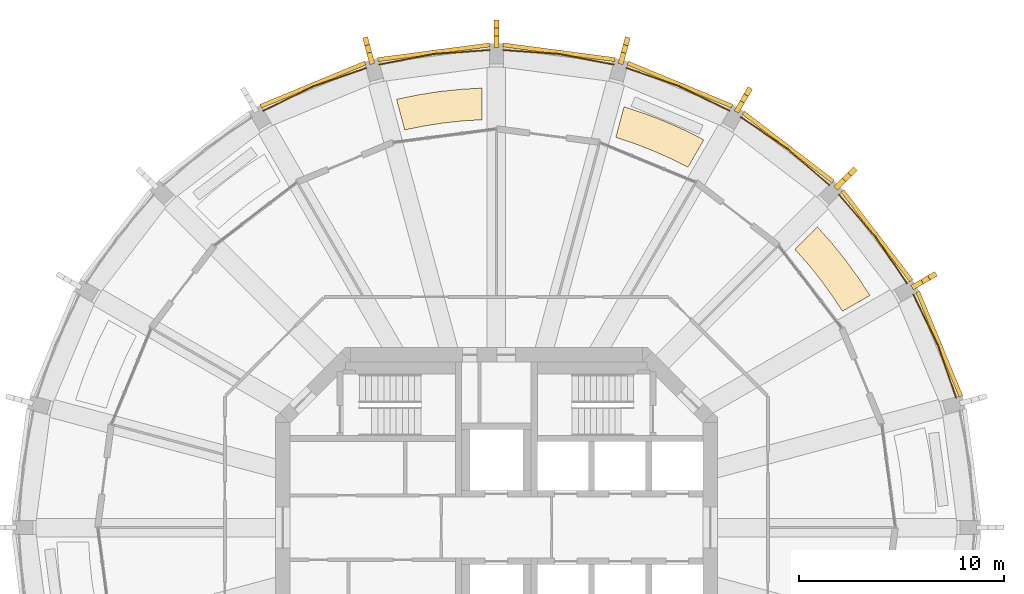
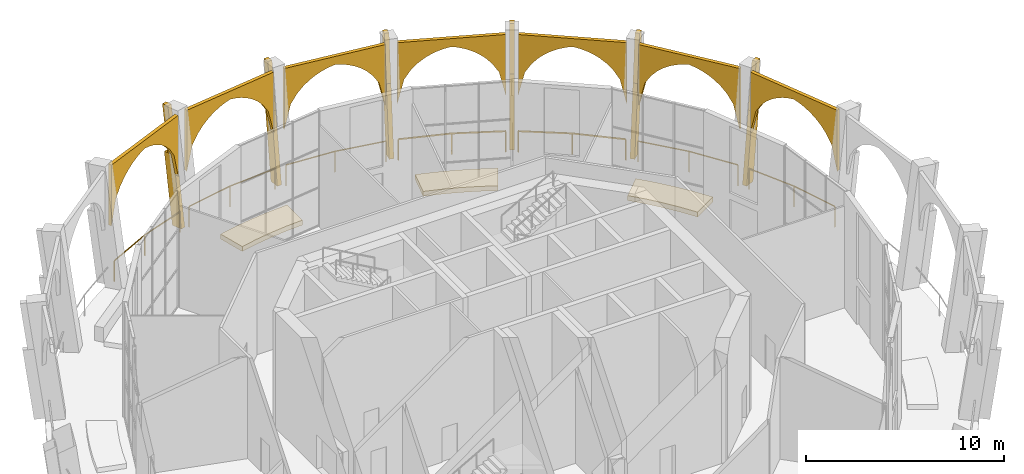
# One storey, part 16 of 16: 22 coverings, 7 railings.
"""IFC4 building model written with IfcOpenShell, lengths in metres."""

from ifc_helpers import new_model, si_unit, direction, frame, origin, origin_2d, place, context, subcontext, project, spatial, polyline, rectangle, outline, extrude, material, layer, layer_set, material_profile, profile_set, type_object, element, save


model = new_model("IFC4")

# Units and contexts
model_context = context("Model", 3, precision=1e-05, world=origin(), true_north=direction((0.0, 1.0)))
body_context = subcontext(model_context, "Body", "Model", "MODEL_VIEW")
ifc_project = project(units=[si_unit("LENGTHUNIT", "METRE"), si_unit("AREAUNIT", "SQUARE_METRE"), si_unit("VOLUMEUNIT", "CUBIC_METRE"), si_unit("PLANEANGLEUNIT", "RADIAN"), si_unit("MASSUNIT", "GRAM", prefix="KILO")], contexts=[model_context])

# Site, building, storey
site_placement = place(None, origin())
site = spatial("IfcSite", under=ifc_project, at=site_placement, CompositionType="ELEMENT")
building_placement = place(site_placement, origin())
building = spatial("IfcBuilding", under=site, at=building_placement, Name="Torre Triforio", CompositionType="ELEMENT")
storey_placement = place(building_placement, frame((0.0, 0.0, 218.699951171875)))
storey = spatial("IfcBuildingStorey", under=building, at=storey_placement, Name="L50", CompositionType="ELEMENT", Elevation=218.699951171875)

# Coverings
ifc_material_1 = material(Name="Limestone arch panel", Category="masonry")
ifc_layer_1 = layer(ifc_material_1, 0.199951171875)
ifc_layer_set_1 = layer_set([ifc_layer_1], Name="Limestone arch panel")
covering_type_1 = type_object("IfcCoveringType", Name="Lancet arch cladding panel 200", PredefinedType="CLADDING", material=ifc_layer_set_1)
covering_1_placement = place(storey_placement, frame((21.563232421875, 8.931884765625, 0.0), z_axis=(0.924120904221, 0.382100188932, 0.0), x_axis=(-0.382100188932, 0.924120904221, 0.0)))
element("IfcCovering", 1, at=covering_1_placement, inside=storey, type_object=covering_type_1, Name="Lancet arch panel L50 bay 02", PredefinedType="CLADDING", context=body_context, shape_type="SweptSolid", body=[
    extrude(outline(polyline([(-2.76318359375, 7.1201171875), (-2.76318359375, 3.359619140625), (-2.417724609375, 4.83056640625), (-2.072509765625, 5.381591796875), (-1.72705078125, 5.7626953125), (-1.381591796875, 6.04736328125), (-1.0361328125, 6.263671875), (-0.69091796875, 6.42626953125), (-0.345458984375, 6.54345703125), (0.0, 6.6201171875), (0.345458984375, 6.54345703125), (0.69091796875, 6.42626953125), (1.0361328125, 6.263671875), (1.381591796875, 6.04736328125), (1.72705078125, 5.7626953125), (2.072509765625, 5.381591796875), (2.417724609375, 4.83056640625), (2.76318359375, 3.359619140625), (2.76318359375, 7.1201171875), (-2.76318359375, 7.1201171875)])), origin(), (0.0, 0.0, 1.0), 0.199951171875),
])
for number, where, z_axis, x_axis, name in (
    (2, (18.516845703125, 14.20849609375, 0.0), (0.793350515415, 0.608765110442, 0.0), (-0.608765110442, 0.793350515415, 0.0), "Lancet arch panel L50 bay 03"),
    (3, (14.20849609375, 18.516845703125, 0.0), (0.608765110442, 0.793350515415, 0.0), (-0.793350515415, 0.608765110442, 0.0), "Lancet arch panel L50 bay 04"),
):
    element("IfcCovering", number, at=place(storey_placement, frame(where, z_axis=z_axis, x_axis=x_axis)), inside=storey, type_object=covering_type_1, Name=name, PredefinedType="CLADDING", context=body_context, shape_type="SweptSolid", body=[
        extrude(outline(polyline([(-2.76318359375, 7.1201171875), (-2.76318359375, 3.359619140625), (-2.417724609375, 4.83056640625), (-2.072509765625, 5.381591796875), (-1.72705078125, 5.7626953125), (-1.381591796875, 6.04736328125), (-1.0361328125, 6.263671875), (-0.69091796875, 6.42626953125), (-0.345458984375, 6.54345703125), (0.0, 6.6201171875), (0.345458984375, 6.54345703125), (0.69091796875, 6.42626953125), (1.0361328125, 6.263671875), (1.381591796875, 6.04736328125), (1.72705078125, 5.7626953125), (2.072509765625, 5.381591796875), (2.417724609375, 4.83056640625), (2.76318359375, 3.359619140625), (2.76318359375, 7.1201171875), (-2.76318359375, 7.1201171875)])), origin(), (0.0, 0.0, 1.0), 0.19970703125),
    ])
for number, where, z_axis, x_axis, name in (
    (4, (8.931884765625, 21.563232421875, 0.0), (0.382100188932, 0.924120904221, 0.0), (-0.924120904221, 0.382100188932, 0.0), "Lancet arch panel L50 bay 05"),
    (5, (3.04638671875, 23.14013671875, 0.0), (0.130644014367, 0.991429342672, 0.0), (-0.991429342672, 0.130644014367, 0.0), "Lancet arch panel L50 bay 06"),
    (6, (-3.04638671875, 23.14013671875, 0.0), (-0.130644014367, 0.991429342672, 0.0), (-0.991429342672, -0.130644014367, 0.0), "Lancet arch panel L50 bay 07"),
    (7, (-8.931884765625, 21.563232421875, 0.0), (-0.382100188932, 0.924120904221, 0.0), (-0.924120904221, -0.382100188932, 0.0), "Lancet arch panel L50 bay 08"),
):
    element("IfcCovering", number, at=place(storey_placement, frame(where, z_axis=z_axis, x_axis=x_axis)), inside=storey, type_object=covering_type_1, Name=name, PredefinedType="CLADDING", context=body_context, shape_type="SweptSolid", body=[
        extrude(outline(polyline([(-2.76318359375, 7.1201171875), (-2.76318359375, 3.359619140625), (-2.417724609375, 4.83056640625), (-2.072509765625, 5.381591796875), (-1.72705078125, 5.7626953125), (-1.381591796875, 6.04736328125), (-1.0361328125, 6.263671875), (-0.69091796875, 6.42626953125), (-0.345458984375, 6.54345703125), (0.0, 6.6201171875), (0.345458984375, 6.54345703125), (0.69091796875, 6.42626953125), (1.0361328125, 6.263671875), (1.381591796875, 6.04736328125), (1.72705078125, 5.7626953125), (2.072509765625, 5.381591796875), (2.417724609375, 4.83056640625), (2.76318359375, 3.359619140625), (2.76318359375, 7.1201171875), (-2.76318359375, 7.1201171875)])), origin(), (0.0, 0.0, 1.0), 0.199951171875),
    ])

# Railings
ifc_material_2 = material(Name="Stainless steel AISI 316", Category="steel")
railing_type = type_object("IfcRailingType", Name="Loggia guard 1300", PredefinedType="GUARDRAIL", material=ifc_material_2)
railing_1_placement = place(storey_placement, frame((22.471435546875, 6.3525390625, 0.0)))
element("IfcRailing", 8, at=railing_1_placement, inside=storey, type_object=railing_type, Name="Loggia guard L50 bay 02", PredefinedType="GUARDRAIL", context=body_context, shape_type="SweptSolid", body=[
    extrude(rectangle(XDim=0.050048828125, YDim=0.050048828125, at=origin_2d()), frame((0.0, 0.0, 1.27490234375), z_axis=(-0.328652177394, 0.944451029061, 0.0), x_axis=(-0.944451029061, -0.328652177394, 0.0)), (0.0, 0.0, 1.0), 2.735107421875),
    extrude(rectangle(XDim=0.050048828125, YDim=0.050048828125, at=origin_2d()), frame((-0.89892578125, 2.583251953125, 1.27490234375), z_axis=(-0.435427931096, 0.900223592682, 0.0), x_axis=(-0.900223592682, -0.435427931096, 0.0)), (0.0, 0.0, 1.0), 2.735107421875),
    extrude(rectangle(XDim=0.0400390625, YDim=0.0400390625, at=origin_2d()), origin(), (0.0, 0.0, 1.0), 1.25),
    extrude(rectangle(XDim=0.0400390625, YDim=0.0400390625, at=origin_2d()), frame((-0.89892578125, 2.583251953125, 0.0)), (0.0, 0.0, 1.0), 1.25),
    extrude(rectangle(XDim=0.0400390625, YDim=0.0400390625, at=origin_2d()), frame((-2.08984375, 5.04541015625, 0.0)), (0.0, 0.0, 1.0), 1.25),
])
railing_2_placement = place(storey_placement, frame((20.061767578125, 11.9521484375, 0.0)))
element("IfcRailing", 9, at=railing_2_placement, inside=storey, type_object=railing_type, Name="Loggia guard L50 bay 03", PredefinedType="GUARDRAIL", context=body_context, shape_type="SweptSolid", body=[
    extrude(rectangle(XDim=0.050048828125, YDim=0.050048828125, at=origin_2d()), frame((0.0, 0.0, 1.27490234375), z_axis=(-0.561909542334, 0.827198686069, 0.0), x_axis=(-0.827198686069, -0.561909542334, 0.0)), (0.0, 0.0, 1.0), 2.735107421875),
    extrude(rectangle(XDim=0.050048828125, YDim=0.050048828125, at=origin_2d()), frame((-1.536865234375, 2.262451171875, 1.27490234375), z_axis=(-0.653580361536, 0.756857127214, 0.0), x_axis=(-0.756857127214, -0.653580361536, 0.0)), (0.0, 0.0, 1.0), 2.735107421875),
    extrude(rectangle(XDim=0.0400390625, YDim=0.0400390625, at=origin_2d()), origin(), (0.0, 0.0, 1.0), 1.25),
    extrude(rectangle(XDim=0.0400390625, YDim=0.0400390625, at=origin_2d()), frame((-1.536865234375, 2.262451171875, 0.0)), (0.0, 0.0, 1.0), 1.25),
    extrude(rectangle(XDim=0.0400390625, YDim=0.0400390625, at=origin_2d()), frame((-3.324462890625, 4.33251953125, 0.0)), (0.0, 0.0, 1.0), 1.25),
])
railing_3_placement = place(storey_placement, frame((16.28466796875, 16.7373046875, 0.0)))
element("IfcRailing", 10, at=railing_3_placement, inside=storey, type_object=railing_type, Name="Loggia guard L50 bay 04", PredefinedType="GUARDRAIL", context=body_context, shape_type="SweptSolid", body=[
    extrude(rectangle(XDim=0.050048828125, YDim=0.050048828125, at=origin_2d()), frame((0.0, 0.0, 1.27490234375), z_axis=(-0.756857127214, 0.653580361536, 0.0), x_axis=(-0.653580361536, -0.756857127214, 0.0)), (0.0, 0.0, 1.0), 2.735107421875),
    extrude(rectangle(XDim=0.050048828125, YDim=0.050048828125, at=origin_2d()), frame((-2.070068359375, 1.78759765625, 1.27490234375), z_axis=(-0.827198686069, 0.561909542334, 0.0), x_axis=(-0.561909542334, -0.827198686069, 0.0)), (0.0, 0.0, 1.0), 2.735107421875),
    extrude(rectangle(XDim=0.0400390625, YDim=0.0400390625, at=origin_2d()), origin(), (0.0, 0.0, 1.0), 1.25),
    extrude(rectangle(XDim=0.0400390625, YDim=0.0400390625, at=origin_2d()), frame((-2.070068359375, 1.78759765625, 0.0)), (0.0, 0.0, 1.0), 1.25),
    extrude(rectangle(XDim=0.0400390625, YDim=0.0400390625, at=origin_2d()), frame((-4.33251953125, 3.324462890625, 0.0)), (0.0, 0.0, 1.0), 1.25),
])
railing_4_placement = place(storey_placement, frame((11.39794921875, 20.381591796875, 0.0)))
element("IfcRailing", 11, at=railing_4_placement, inside=storey, type_object=railing_type, Name="Loggia guard L50 bay 05", PredefinedType="GUARDRAIL", context=body_context, shape_type="SweptSolid", body=[
    extrude(rectangle(XDim=0.050048828125, YDim=0.050048828125, at=origin_2d()), frame((0.0, 0.0, 1.27490234375), z_axis=(-0.900223592682, 0.435427931096, 0.0), x_axis=(-0.435427931096, -0.900223592682, 0.0)), (0.0, 0.0, 1.0), 2.735107421875),
    extrude(rectangle(XDim=0.050048828125, YDim=0.050048828125, at=origin_2d()), frame((-2.462158203125, 1.19091796875, 1.27490234375), z_axis=(-0.944451029061, 0.328652177394, 0.0), x_axis=(-0.328652177394, -0.944451029061, 0.0)), (0.0, 0.0, 1.0), 2.735107421875),
    extrude(rectangle(XDim=0.0400390625, YDim=0.0400390625, at=origin_2d()), origin(), (0.0, 0.0, 1.0), 1.25),
    extrude(rectangle(XDim=0.0400390625, YDim=0.0400390625, at=origin_2d()), frame((-2.462158203125, 1.19091796875, 0.0)), (0.0, 0.0, 1.0), 1.25),
    extrude(rectangle(XDim=0.0400390625, YDim=0.0400390625, at=origin_2d()), frame((-5.04541015625, 2.08984375, 0.0)), (0.0, 0.0, 1.0), 1.25),
])
railing_5_placement = place(storey_placement, frame((5.734375, 22.63720703125, 0.0)))
element("IfcRailing", 12, at=railing_5_placement, inside=storey, type_object=railing_type, Name="Loggia guard L50 bay 06", PredefinedType="GUARDRAIL", context=body_context, shape_type="SweptSolid", body=[
    extrude(rectangle(XDim=0.050048828125, YDim=0.050048828125, at=origin_2d()), frame((0.0, 0.0, 1.27490234375), z_axis=(-0.982256435457, 0.187542781797, 0.0), x_axis=(-0.187542781797, -0.982256435457, 0.0)), (0.0, 0.0, 1.0), 2.735107421875),
    extrude(rectangle(XDim=0.050048828125, YDim=0.050048828125, at=origin_2d()), frame((-2.6865234375, 0.512939453125, 1.27490234375), z_axis=(-0.997324207934, 0.073105569346, 0.0), x_axis=(-0.073105569346, -0.997324207934, 0.0)), (0.0, 0.0, 1.0), 2.735107421875),
    extrude(rectangle(XDim=0.0400390625, YDim=0.0400390625, at=origin_2d()), origin(), (0.0, 0.0, 1.0), 1.25),
    extrude(rectangle(XDim=0.0400390625, YDim=0.0400390625, at=origin_2d()), frame((-2.6865234375, 0.512939453125, 0.0)), (0.0, 0.0, 1.0), 1.25),
    extrude(rectangle(XDim=0.0400390625, YDim=0.0400390625, at=origin_2d()), frame((-5.414306640625, 0.712890625, 0.0)), (0.0, 0.0, 1.0), 1.25),
])
railing_6_placement = place(storey_placement, frame((-0.320068359375, 23.35009765625, 0.0)))
element("IfcRailing", 13, at=railing_6_placement, inside=storey, type_object=railing_type, Name="Loggia guard L50 bay 07", PredefinedType="GUARDRAIL", context=body_context, shape_type="SweptSolid", body=[
    extrude(rectangle(XDim=0.050048828125, YDim=0.050048828125, at=origin_2d()), frame((0.0, 0.0, 1.27490234375), z_axis=(-0.997324207934, -0.073105569346, 0.0), x_axis=(0.073105569346, -0.997324207934, 0.0)), (0.0, 0.0, 1.0), 2.735107421875),
    extrude(rectangle(XDim=0.050048828125, YDim=0.050048828125, at=origin_2d()), frame((-2.727783203125, -0.199951171875, 1.27490234375), z_axis=(-0.982256435457, -0.187542781797, 0.0), x_axis=(0.187542781797, -0.982256435457, 0.0)), (0.0, 0.0, 1.0), 2.735107421875),
    extrude(rectangle(XDim=0.0400390625, YDim=0.0400390625, at=origin_2d()), origin(), (0.0, 0.0, 1.0), 1.25),
    extrude(rectangle(XDim=0.0400390625, YDim=0.0400390625, at=origin_2d()), frame((-2.727783203125, -0.199951171875, 0.0)), (0.0, 0.0, 1.0), 1.25),
    extrude(rectangle(XDim=0.0400390625, YDim=0.0400390625, at=origin_2d()), frame((-5.414306640625, -0.712890625, 0.0)), (0.0, 0.0, 1.0), 1.25),
])
railing_7_placement = place(storey_placement, frame((-6.3525390625, 22.471435546875, 0.0)))
element("IfcRailing", 14, at=railing_7_placement, inside=storey, type_object=railing_type, Name="Loggia guard L50 bay 08", PredefinedType="GUARDRAIL", context=body_context, shape_type="SweptSolid", body=[
    extrude(rectangle(XDim=0.050048828125, YDim=0.050048828125, at=origin_2d()), frame((0.0, 0.0, 1.27490234375), z_axis=(-0.944451029061, -0.328652177394, 0.0), x_axis=(0.328652177394, -0.944451029061, 0.0)), (0.0, 0.0, 1.0), 2.735107421875),
    extrude(rectangle(XDim=0.050048828125, YDim=0.050048828125, at=origin_2d()), frame((-2.583251953125, -0.89892578125, 1.27490234375), z_axis=(-0.900223592682, -0.435427931096, 0.0), x_axis=(0.435427931096, -0.900223592682, 0.0)), (0.0, 0.0, 1.0), 2.735107421875),
    extrude(rectangle(XDim=0.0400390625, YDim=0.0400390625, at=origin_2d()), origin(), (0.0, 0.0, 1.0), 1.25),
    extrude(rectangle(XDim=0.0400390625, YDim=0.0400390625, at=origin_2d()), frame((-2.583251953125, -0.89892578125, 0.0)), (0.0, 0.0, 1.0), 1.25),
    extrude(rectangle(XDim=0.0400390625, YDim=0.0400390625, at=origin_2d()), frame((-5.04541015625, -2.08984375, 0.0)), (0.0, 0.0, 1.0), 1.25),
])

# Coverings
ifc_material_3 = material(Name="Planted topsoil bed")
ifc_layer_2 = layer(ifc_material_3, 0.300048828125)
ifc_layer_set_2 = layer_set([ifc_layer_2], Name="Planted topsoil bed")
covering_type_2 = type_object("IfcCoveringType", Name="Planted bed 300", PredefinedType="FLOORING", material=ifc_layer_set_2)
covering_2_placement = place(storey_placement, origin())
element("IfcCovering", 15, at=covering_2_placement, inside=storey, type_object=covering_type_2, Name="Sky garden L50 planted bed 03", PredefinedType="FLOORING", context=body_context, shape_type="SweptSolid", body=[
    extrude(outline(polyline([(16.916748046875, 10.57470703125), (16.390869140625, 11.372802734375), (15.827392578125, 12.144775390625), (15.2275390625, 12.888916015625), (14.5927734375, 13.603515625), (15.689453125, 14.699951171875), (16.39306640625, 13.910888671875), (17.05712890625, 13.08837890625), (17.679931640625, 12.234130859375), (18.260009765625, 11.35009765625), (16.916748046875, 10.57470703125)])), origin(), (0.0, 0.0, 1.0), 0.300048828125),
])
covering_3_placement = place(storey_placement, origin())
element("IfcCovering", 16, at=covering_3_placement, inside=storey, type_object=covering_type_2, Name="Sky garden L50 planted bed 05", PredefinedType="FLOORING", context=body_context, shape_type="SweptSolid", body=[
    extrude(outline(polyline([(9.363037109375, 17.616455078125), (8.508544921875, 18.044677734375), (7.634521484375, 18.431396484375), (6.742919921875, 18.77587890625), (5.8359375, 19.077392578125), (6.237548828125, 20.5751953125), (7.2412109375, 20.243896484375), (8.227783203125, 19.86328125), (9.194091796875, 19.43505859375), (10.138427734375, 18.95947265625), (9.363037109375, 17.616455078125)])), origin(), (0.0, 0.0, 1.0), 0.300048828125),
])
covering_4_placement = place(storey_placement, origin())
element("IfcCovering", 17, at=covering_4_placement, inside=storey, type_object=covering_type_2, Name="Sky garden L50 planted bed 07", PredefinedType="FLOORING", context=body_context, shape_type="SweptSolid", body=[
    extrude(outline(polyline([(-0.69970703125, 19.937744140625), (-1.65380859375, 19.88134765625), (-2.60400390625, 19.779296875), (-3.54833984375, 19.6318359375), (-4.484619140625, 19.439453125), (-4.885986328125, 20.9375), (-3.8505859375, 21.15234375), (-2.806396484375, 21.316162109375), (-1.755126953125, 21.42822265625), (-0.69970703125, 21.488525390625), (-0.69970703125, 19.937744140625)])), origin(), (0.0, 0.0, 1.0), 0.300048828125),
])
ifc_material_4 = material(Name="Limestone fin", Category="masonry")
ifc_material_profile_1 = material_profile(ifc_material_4, rectangle(XDim=0.39990234375, YDim=0.25, at=origin_2d()), Name="FIN 400x250")
ifc_profile_set_1 = profile_set([ifc_material_profile_1], Name="Limestone fin")
covering_type_3 = type_object("IfcCoveringType", Name="Stone fin 400 x 250", PredefinedType="CLADDING", material=ifc_profile_set_1)
for number, where, z_axis, x_axis, name in (
    (18, (20.986572265625, 12.11669921875, 4.27197265625), (0.115953217428, 0.066938560684, 0.990996508804), (-0.85825078026, -0.495459058495, 0.133887712425), "Stone fin C03 L50 upper"),
    (19, (17.135498046875, 17.135498046875, 4.27197265625), (0.094715584921, 0.094715584921, 0.990988353083), (-0.700734584542, -0.700734584542, 0.133948064763), "Stone fin C04 L50 upper"),
    (20, (12.11669921875, 20.986572265625, 4.27197265625), (0.066938560684, 0.115953217428, 0.990996508804), (-0.495459058495, -0.85825078026, 0.133887712425), "Stone fin C05 L50 upper"),
    (21, (6.27197265625, 23.407470703125, 4.27197265625), (0.034658316023, 0.129374057116, 0.990989987071), (-0.256436286278, -0.957236431377, 0.133935975466), "Stone fin C06 L50 upper"),
    (22, (0.0, 24.233154296875, 4.27197265625), (0.0, 0.133960734783, 0.990986640443), (0.0, -0.990986640443, 0.133960734783), "Stone fin C07 L50 upper"),
    (23, (-6.27197265625, 23.407470703125, 4.27197265625), (-0.034658316023, 0.129374057116, 0.990989987071), (0.256436286278, -0.957236431377, 0.133935975466), "Stone fin C08 L50 upper"),
):
    element("IfcCovering", number, at=place(storey_placement, frame(where, z_axis=z_axis, x_axis=x_axis)), inside=storey, type_object=covering_type_3, Name=name, PredefinedType="CLADDING", context=body_context, shape_type="SweptSolid", body=[
        extrude(rectangle(XDim=0.39990234375, YDim=0.25, at=origin_2d()), origin(), (0.0, 0.0, 1.0), 2.8740234375),
    ])
ifc_material_profile_2 = material_profile(ifc_material_4, rectangle(XDim=0.64990234375, YDim=0.25, at=origin_2d()), Name="FIN 650x250")
ifc_profile_set_2 = profile_set([ifc_material_profile_2], Name="Limestone fin")
covering_type_4 = type_object("IfcCoveringType", Name="Stone fin 650 x 250", PredefinedType="CLADDING", material=ifc_profile_set_2)
for number, where, z_axis, x_axis, name in (
    (24, (20.595947265625, 11.89111328125, 0.0), (0.115931788528, 0.066942537391, 0.990998747273), (-0.858200316394, -0.495550939901, 0.133871142909), "Stone fin C03 L50"),
    (25, (16.81640625, 16.81640625, 0.0), (0.094693091473, 0.094693091473, 0.990992652271), (-0.700737624527, -0.700737624527, 0.133916254224), "Stone fin C04 L50"),
    (26, (11.89111328125, 20.595947265625, 0.0), (0.066942537391, 0.115931788528, 0.990998747273), (-0.495550939901, -0.858200316394, 0.133871142909), "Stone fin C05 L50"),
    (27, (6.1552734375, 22.9716796875, 0.0), (0.034660388162, 0.129353474776, 0.990992601413), (-0.2564893403, -0.957224923604, 0.133916630573), "Stone fin C06 L50"),
    (28, (0.0, 23.781982421875, 0.0), (0.0, 0.133940444111, 0.990989383107), (0.0, -0.990989383107, 0.133940444111), "Stone fin C07 L50"),
    (29, (-6.1552734375, 22.9716796875, 0.0), (-0.034660388162, 0.129353474776, 0.990992601413), (0.2564893403, -0.957224923604, 0.133916630573), "Stone fin C08 L50"),
):
    element("IfcCovering", number, at=place(storey_placement, frame(where, z_axis=z_axis, x_axis=x_axis)), inside=storey, type_object=covering_type_4, Name=name, PredefinedType="CLADDING", context=body_context, shape_type="SweptSolid", body=[
        extrude(rectangle(XDim=0.64990234375, YDim=0.25, at=origin_2d()), origin(), (0.0, 0.0, 1.0), 4.310791015625),
    ])

save(model, "model.ifc")
